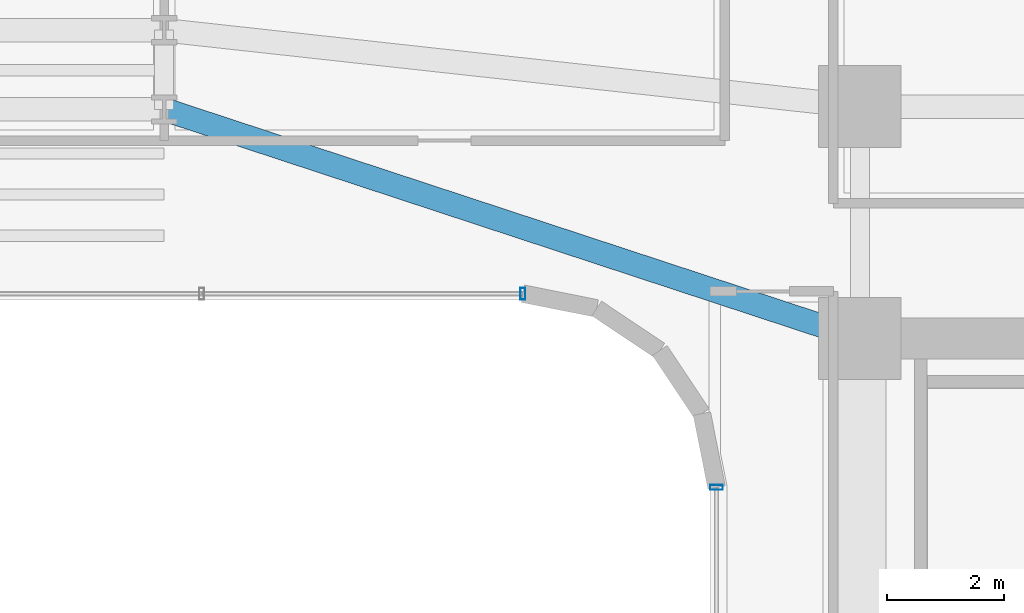
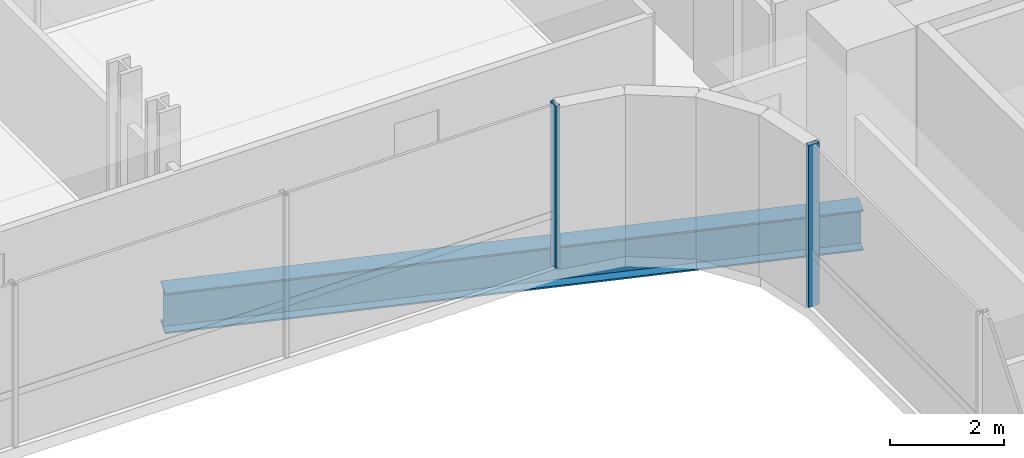
# One storey, part 15 of 38: 2 members, 1 beam, 2 elements without a shape of their own.
"""IFC4 building model written with IfcOpenShell, lengths in metres."""

from ifc_helpers import new_model, si_unit, direction, frame, origin, origin_2d, place, context, subcontext, project, spatial, hollow_rectangle, i_section, extrude, source, transform, mapped, material, material_profile, profile_set, type_object, element, aggregate, save


model = new_model("IFC4")

# Units and contexts
model_context = context("Model", 3, precision=1e-05, world=origin(), true_north=direction((0.0, 1.0)))
body_context = subcontext(model_context, "Body", "Model", "MODEL_VIEW")
ifc_project = project(units=[si_unit("LENGTHUNIT", "METRE"), si_unit("AREAUNIT", "SQUARE_METRE"), si_unit("VOLUMEUNIT", "CUBIC_METRE"), si_unit("PLANEANGLEUNIT", "RADIAN"), si_unit("MASSUNIT", "GRAM", prefix="KILO")], contexts=[model_context])

# Site, building, storey
site_placement = place(None, origin())
site = spatial("IfcSite", under=ifc_project, at=site_placement, CompositionType="ELEMENT")
building_placement = place(site_placement, origin())
building = spatial("IfcBuilding", under=site, at=building_placement, Name="Valdorenza Pilgrim Sanctuary Tower", CompositionType="ELEMENT")
storey_placement = place(building_placement, frame((0.0, 0.0, 37.10009765625)))
storey = spatial("IfcBuildingStorey", under=building, at=storey_placement, Name="L08", CompositionType="ELEMENT", Elevation=37.10009765625)

# Beam
ifc_material_1 = material(Name="Steel ASTM A992 Grade 50", Category="steel")
ifc_material_profile_1 = material_profile(ifc_material_1, i_section(OverallWidth=0.39990234375, OverallDepth=0.862060546875, WebThickness=0.019775390625, FlangeThickness=0.032470703125, at=origin_2d()), Name="W33X221")
ifc_profile_set_1 = profile_set([ifc_material_profile_1], Name="Steel ASTM A992 Grade 50")
beam_type = type_object("IfcBeamType", Name="STR-BM-GRD-W33", PredefinedType="BEAM", material=ifc_profile_set_1)
shared_shape_1 = source(origin(), body_context, "Body", "SweptSolid", [
    extrude(i_section(OverallWidth=0.39990234375, OverallDepth=0.862060546875, WebThickness=0.019775390625, FlangeThickness=0.032470703125, at=origin_2d()), origin(), (0.0, 0.0, 1.0), 12.475341796875),
])
beam_placement = place(storey_placement, frame((4.0, 13.449951171875, -0.671142578125), z_axis=(0.949881908141, -0.312608957943, 0.0), x_axis=(0.312608957943, 0.949881908141, 0.0)))
element("IfcBeam", 1, at=beam_placement, inside=storey, type_object=beam_type, Name="L08 Floor Girder KNK-G3", PredefinedType="BEAM", context=body_context, shape_type="MappedRepresentation", body=[
    mapped(shared_shape_1, transform((0.0, 0.0, 0.0), x_axis=(1.0, 0.0, 0.0), y_axis=(0.0, 1.0, 0.0), z_axis=(0.0, 0.0, 1.0), scale=1.0)),
])

# Curtain wall, member
ifc_material_2 = material(Name="Curtain-wall IGU glazing", Category="glass")
curtain_wall_type_1 = type_object("IfcCurtainWallType", Name="CW-SYS-02", PredefinedType="NOTDEFINED", material=ifc_material_2)
curtain_wall_1_placement = place(storey_placement, origin())
curtain_wall_1 = element("IfcCurtainWall", 2, at=curtain_wall_1_placement, inside=storey, type_object=curtain_wall_type_1, Name="L08 Curtain Wall CW-L08-1-36", PredefinedType="NOTDEFINED")
ifc_material_3 = material(Name="Anodised aluminium AW-6060", Category="aluminium")
ifc_material_profile_2 = material_profile(ifc_material_3, hollow_rectangle(XDim=0.0849609375, YDim=0.199951171875, WallThickness=0.0048828125, at=origin_2d()), Name="ALU-M 200x85x5")
ifc_profile_set_2 = profile_set([ifc_material_profile_2], Name="Anodised aluminium AW-6060")
member_type_1 = type_object("IfcMemberType", Name="CW-MUL-02", PredefinedType="MULLION", material=ifc_profile_set_2)
shared_shape_2 = source(origin(), body_context, "Body", "SweptSolid", [
    extrude(hollow_rectangle(XDim=0.0849609375, YDim=0.199951171875, WallThickness=0.0048828125, at=origin_2d()), origin(), (0.0, 0.0, 1.0), 3.4599609375),
])
member_1_placement = place(storey_placement, frame((10.11083984375, 10.31005859375, 0.0), z_axis=(0.0, 0.0, 1.0), x_axis=(-1.0, 0.0, 0.0)))
member_1 = element("IfcMember", 3, at=member_1_placement, type_object=member_type_1, Name="CW-L08-1-36 Mullion 1", PredefinedType="MULLION", context=body_context, shape_type="MappedRepresentation", body=[
    mapped(shared_shape_2, transform((0.0, 0.0, 0.0), x_axis=(1.0, 0.0, 0.0), y_axis=(0.0, 1.0, 0.0), z_axis=(0.0, 0.0, 1.0), scale=1.0)),
])
aggregate(curtain_wall_1, [member_1])

curtain_wall_type_2 = type_object("IfcCurtainWallType", Name="CW-SYS-03", PredefinedType="NOTDEFINED", material=ifc_material_2)
curtain_wall_2_placement = place(storey_placement, origin())
curtain_wall_2 = element("IfcCurtainWall", 4, at=curtain_wall_2_placement, inside=storey, type_object=curtain_wall_type_2, Name="L08 Curtain Wall CW-L08-1-31", PredefinedType="NOTDEFINED")
ifc_material_profile_3 = material_profile(ifc_material_3, hollow_rectangle(XDim=0.0849609375, YDim=0.219970703125, WallThickness=0.0048828125, at=origin_2d()), Name="ALU-M 220x85x5")
ifc_profile_set_3 = profile_set([ifc_material_profile_3], Name="Anodised aluminium AW-6060")
member_type_2 = type_object("IfcMemberType", Name="CW-MUL-03", PredefinedType="MULLION", material=ifc_profile_set_3)
shared_shape_3 = source(origin(), body_context, "Body", "SweptSolid", [
    extrude(hollow_rectangle(XDim=0.0849609375, YDim=0.219970703125, WallThickness=0.0048828125, at=origin_2d()), origin(), (0.0, 0.0, 1.0), 3.4599609375),
])
member_2_placement = place(storey_placement, frame((13.409912109375, 7.0107421875, 0.0), z_axis=(0.0, 0.0, 1.0), x_axis=(0.0, 1.0, 0.0)))
member_2 = element("IfcMember", 5, at=member_2_placement, type_object=member_type_2, Name="CW-L08-1-31 Mullion 4", PredefinedType="MULLION", context=body_context, shape_type="MappedRepresentation", body=[
    mapped(shared_shape_3, transform((0.0, 0.0, 0.0), x_axis=(1.0, 0.0, 0.0), y_axis=(0.0, 1.0, 0.0), z_axis=(0.0, 0.0, 1.0), scale=1.0)),
])
aggregate(curtain_wall_2, [member_2])

save(model, "model.ifc")
